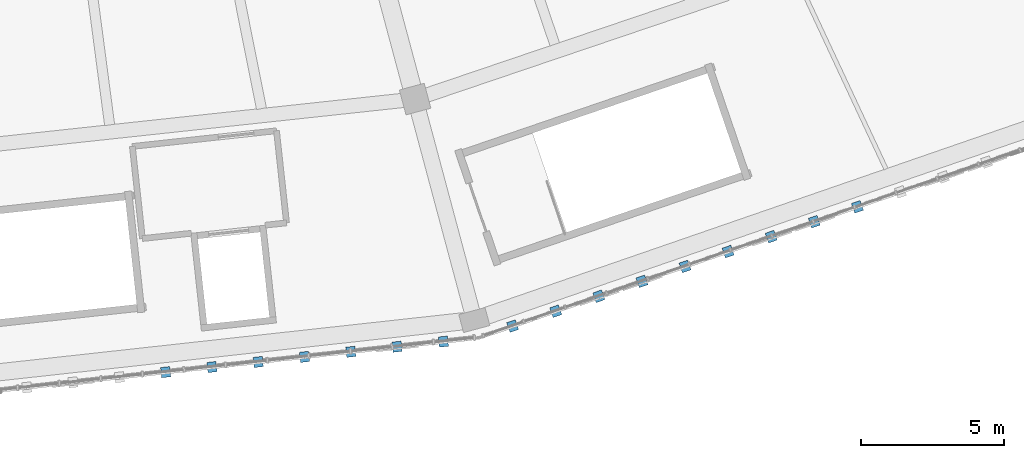
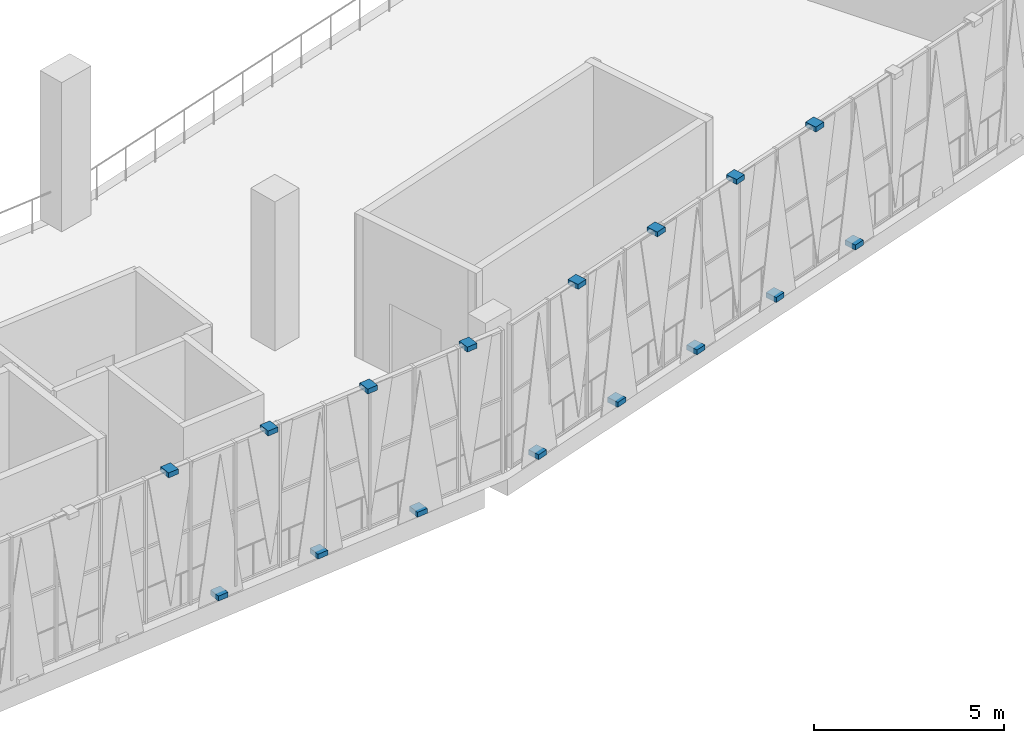
# One storey, part 51 of 64: 16 discrete accessories.
"""IFC4 building model written with IfcOpenShell, lengths in metres."""

from ifc_helpers import new_model, si_unit, direction, frame, origin, origin_2d, place, context, subcontext, project, spatial, rectangle, extrude, material, layer, layer_set, type_object, element, save


model = new_model("IFC4")

# Units and contexts
model_context = context("Model", 3, precision=1e-05, world=origin(), true_north=direction((0.0, 1.0)))
body_context = subcontext(model_context, "Body", "Model", "MODEL_VIEW")
ifc_project = project(units=[si_unit("LENGTHUNIT", "METRE"), si_unit("AREAUNIT", "SQUARE_METRE"), si_unit("VOLUMEUNIT", "CUBIC_METRE"), si_unit("PLANEANGLEUNIT", "RADIAN"), si_unit("MASSUNIT", "GRAM", prefix="KILO")], contexts=[model_context])

# Site, building, storey
site_placement = place(None, origin())
site = spatial("IfcSite", under=ifc_project, at=site_placement, CompositionType="ELEMENT")
building_placement = place(site_placement, origin())
building = spatial("IfcBuilding", under=site, at=building_placement, Name="Zevraka Park Crest Stadium", CompositionType="ELEMENT")
storey_placement = place(building_placement, frame((0.0, 0.0, 24.60009765625)))
storey = spatial("IfcBuildingStorey", under=building, at=storey_placement, Name="L05", CompositionType="ELEMENT", Elevation=24.60009765625)

# Discrete accessories
ifc_material = material(Name="Galvanised steel bracketry", Category="steel")
ifc_layer = layer(ifc_material, 0.1201171875)
ifc_layer_set = layer_set([ifc_layer], Name="Galvanised steel bracketry")
discrete_accessory_type = type_object("IfcDiscreteAccessoryType", Name="BRK01", PredefinedType="BRACKET", material=ifc_layer_set)
for number, where, z_axis, x_axis, name in (
    (1, (124.5791015625, 17.444091796875, 4.47998046875), (0.0, 0.0, 1.0), (0.993999199399, 0.109387346587, 0.0), "Bronze Screen Carrier Bracket BRK01 L05-18-8"),
    (2, (126.197021484375, 17.6220703125, -0.16015625), (0.0, 0.0, 1.0), (0.993999199399, 0.109387346587, 0.0), "Bronze Screen Carrier Bracket BRK01 L05-18-9"),
    (3, (127.81591796875, 17.800048828125, 4.47998046875), (0.0, 0.0, 1.0), (0.993999199399, 0.109387346587, 0.0), "Bronze Screen Carrier Bracket BRK01 L05-18-10"),
    (4, (129.43408203125, 17.97802734375, -0.16015625), (0.0, 0.0, 1.0), (0.993999199399, 0.109387346587, 0.0), "Bronze Screen Carrier Bracket BRK01 L05-18-11"),
    (5, (131.052978515625, 18.156005859375, 4.47998046875), (0.0, 0.0, 1.0), (0.993999199399, 0.109387346587, 0.0), "Bronze Screen Carrier Bracket BRK01 L05-18-12"),
    (6, (132.6708984375, 18.333984375, -0.16015625), (0.0, 0.0, 1.0), (0.993999199399, 0.109387346587, 0.0), "Bronze Screen Carrier Bracket BRK01 L05-18-13"),
    (7, (134.2890625, 18.511962890625, 4.47998046875), (0.0, 0.0, 1.0), (0.993999199399, 0.109387346587, 0.0), "Bronze Screen Carrier Bracket BRK01 L05-18-14"),
    (8, (136.7119140625, 19.054931640625, -0.16015625), (0.0, 0.0, 1.0), (0.94506307518, 0.326888029655, 0.0), "Bronze Screen Carrier Bracket BRK01 L05-19-1"),
    (9, (138.218994140625, 19.575927734375, 4.47998046875), (0.0, 0.0, 1.0), (0.94506307518, 0.326888029655, 0.0), "Bronze Screen Carrier Bracket BRK01 L05-19-2"),
    (10, (139.72509765625, 20.096923828125, -0.16015625), (0.0, 0.0, 1.0), (0.94506307518, 0.326888029655, 0.0), "Bronze Screen Carrier Bracket BRK01 L05-19-3"),
    (11, (141.23193359375, 20.618896484375, 4.47998046875), (0.0, 0.0, 1.0), (0.94506307518, 0.326888029655, 0.0), "Bronze Screen Carrier Bracket BRK01 L05-19-4"),
    (12, (142.739013671875, 21.139892578125, -0.16015625), (0.0, 0.0, 1.0), (0.94506307518, 0.326888029655, 0.0), "Bronze Screen Carrier Bracket BRK01 L05-19-5"),
    (13, (144.24609375, 21.660888671875, 4.47998046875), (0.0, 0.0, 1.0), (0.94506307518, 0.326888029655, 0.0), "Bronze Screen Carrier Bracket BRK01 L05-19-6"),
    (14, (145.7529296875, 22.181884765625, -0.16015625), (0.0, 0.0, 1.0), (0.94506307518, 0.326888029655, 0.0), "Bronze Screen Carrier Bracket BRK01 L05-19-7"),
    (15, (147.260009765625, 22.7041015625, 4.47998046875), (0.0, 0.0, 1.0), (0.94506307518, 0.326888029655, 0.0), "Bronze Screen Carrier Bracket BRK01 L05-19-8"),
    (16, (148.76708984375, 23.22509765625, -0.16015625), (0.0, 0.0, 1.0), (0.94506307518, 0.326888029655, 0.0), "Bronze Screen Carrier Bracket BRK01 L05-19-9"),
):
    element("IfcDiscreteAccessory", number, at=place(storey_placement, frame(where, z_axis=z_axis, x_axis=x_axis)), inside=storey, type_object=discrete_accessory_type, Name=name, PredefinedType="BRACKET", context=body_context, shape_type="SweptSolid", body=[
        extrude(rectangle(XDim=0.320068359375, YDim=0.360107421875, at=origin_2d()), origin(), (0.0, 0.0, 1.0), 0.159912109375),
    ])

save(model, "model.ifc")
